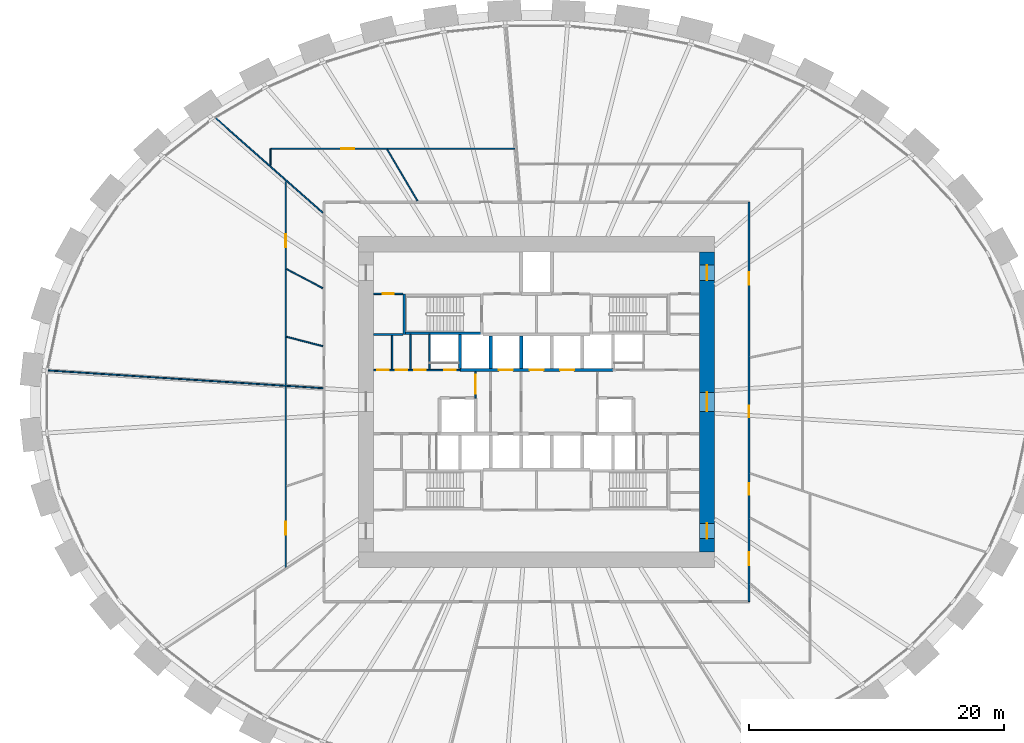
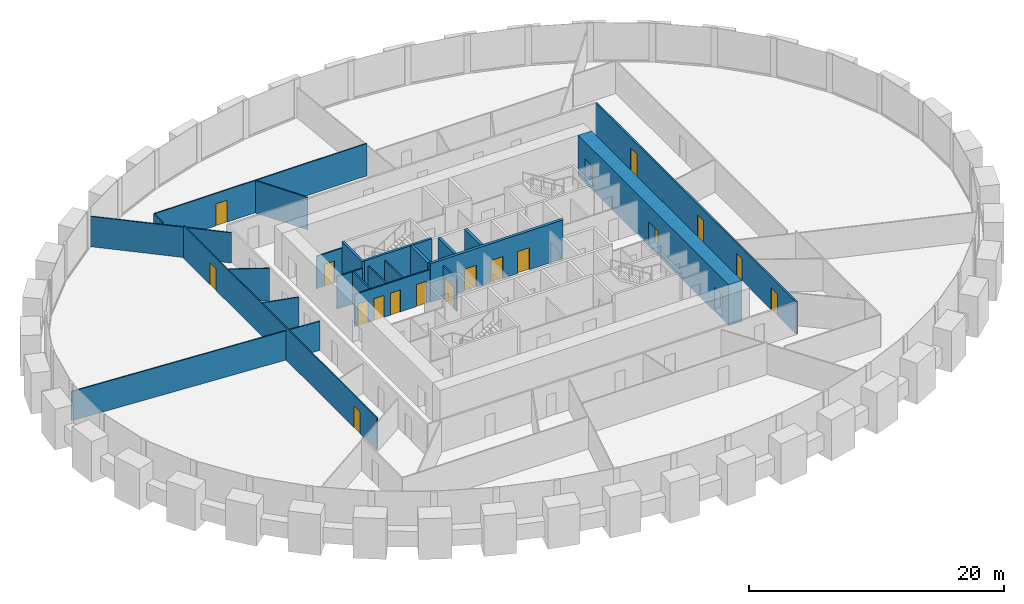
# One storey, part 8 of 11: 23 walls, 19 doors, 19 openings.
"""IFC4 building model written with IfcOpenShell, lengths in metres."""

from ifc_helpers import new_model, si_unit, direction, frame, frame_2d, origin, place, context, subcontext, project, spatial, rectangle, extrude, source, transform, mapped, material, layer, layer_set, type_object, element, fill, save


model = new_model("IFC4")

# Units and contexts
model_context = context("Model", 3, precision=1e-05, world=origin(), true_north=direction((0.0, 1.0)))
body_context = subcontext(model_context, "Body", "Model", "MODEL_VIEW")
ifc_project = project(units=[si_unit("LENGTHUNIT", "METRE"), si_unit("AREAUNIT", "SQUARE_METRE"), si_unit("VOLUMEUNIT", "CUBIC_METRE"), si_unit("PLANEANGLEUNIT", "RADIAN"), si_unit("MASSUNIT", "GRAM", prefix="KILO")], contexts=[model_context])

# Site, building, storey
site_placement = place(None, origin())
site = spatial("IfcSite", under=ifc_project, at=site_placement, CompositionType="ELEMENT")
building_placement = place(site_placement, origin())
building = spatial("IfcBuilding", under=site, at=building_placement, Name="Embergate Tower", CompositionType="ELEMENT")
storey_placement = place(building_placement, frame((0.0, 0.0, 41.89990234375)))
storey = spatial("IfcBuildingStorey", under=building, at=storey_placement, Name="L06", CompositionType="ELEMENT", Elevation=41.89990234375)

# Wall, openings, doors
ifc_material_1 = material(Name="Concrete C80", Category="concrete")
ifc_layer_1 = layer(ifc_material_1, 1.199951171875)
ifc_layer_set_1 = layer_set([ifc_layer_1], Name="Concrete C80")
wall_type_1 = type_object("IfcWallType", Name="Core outer wall C80 1200", PredefinedType="SHEAR", material=ifc_layer_set_1)
shared_shape_1 = source(origin(), body_context, "Body", "SweptSolid", [
    extrude(rectangle(XDim=23.60009765625, YDim=1.199951171875, at=frame_2d((11.800048828125, 0.0))), origin(), (0.0, 0.0, 1.0), 3.900146484375),
])
wall_1_placement = place(storey_placement, frame((13.39990234375, -11.800048828125, -0.199951171875), z_axis=(0.0, 0.0, 1.0), x_axis=(0.0, 1.0, 0.0)))
wall_1 = element("IfcWall", 1, at=wall_1_placement, inside=storey, type_object=wall_type_1, Name="CW-L06-E", PredefinedType="SHEAR", context=body_context, shape_type="MappedRepresentation", body=[
    mapped(shared_shape_1, transform((0.0, 0.0, 0.0))),
])
shared_shape_2 = source(origin(), body_context, "Body", "SweptSolid", [
    extrude(rectangle(XDim=1.199951171875, YDim=2.10009765625, at=frame_2d((0.60009765625, 1.050048828125))), frame((0.0, 0.60986328125, 0.0), z_axis=(0.0, -1.0, 0.0), x_axis=(1.0, 0.0, 0.0)), (0.0, 0.0, 1.0), 1.219970703125),
])
opening_1_placement = place(wall_1_placement, frame((21.35009765625, 0.0, 0.199951171875)))
opening_1 = element("IfcOpeningElement", 2, at=opening_1_placement, cuts=wall_1, Name="Opening IF-1", PredefinedType="OPENING", context=body_context, shape_type="MappedRepresentation", body=[
    mapped(shared_shape_2, transform((0.0, 0.0, 0.0))),
])
opening_2_placement = place(wall_1_placement, frame((1.050048828125, 0.0, 0.199951171875)))
opening_2 = element("IfcOpeningElement", 3, at=opening_2_placement, cuts=wall_1, Name="Opening IF-1", PredefinedType="OPENING", context=body_context, shape_type="MappedRepresentation", body=[
    mapped(shared_shape_2, transform((0.0, 0.0, 0.0))),
])
shared_shape_3 = source(origin(), body_context, "Body", "SweptSolid", [
    extrude(rectangle(XDim=1.5, YDim=2.10009765625, at=frame_2d((0.75, 1.050048828125))), frame((0.0, 0.60986328125, 0.0), z_axis=(0.0, -1.0, 0.0), x_axis=(1.0, 0.0, 0.0)), (0.0, 0.0, 1.0), 1.219970703125),
])
opening_3_placement = place(wall_1_placement, frame((11.050048828125, 0.0, 0.199951171875)))
opening_3 = element("IfcOpeningElement", 4, at=opening_3_placement, cuts=wall_1, Name="Opening IF-3", PredefinedType="OPENING", context=body_context, shape_type="MappedRepresentation", body=[
    mapped(shared_shape_3, transform((0.0, 0.0, 0.0))),
])
ifc_material_2 = material(Name="Escape fire door 1200")
door_type_1 = type_object("IfcDoorType", Name="Escape fire door 1200", OperationType="SINGLE_SWING_LEFT", PredefinedType="DOOR", material=ifc_material_2)
shared_shape_4 = source(origin(), body_context, "Body", "SweptSolid", [
    extrude(rectangle(XDim=1.199951171875, YDim=2.10009765625, at=frame_2d((0.60009765625, 1.050048828125))), frame((0.0, 0.02490234375, 0.0), z_axis=(0.0, -1.0, 0.0), x_axis=(1.0, 0.0, 0.0)), (0.0, 0.0, 1.0), 0.050048828125),
])
door_1_placement = place(opening_1_placement, origin())
door_1 = element("IfcDoor", 5, at=door_1_placement, inside=storey, type_object=door_type_1, Name="IF-1 door", OperationType="SINGLE_SWING_LEFT", OverallHeight=2.10009765625, OverallWidth=1.199951171875, PredefinedType="DOOR", context=body_context, shape_type="MappedRepresentation", body=[
    mapped(shared_shape_4, transform((0.0, 0.0, 0.0))),
])
fill(opening_1, door_1)
door_2_placement = place(opening_2_placement, origin())
door_2 = element("IfcDoor", 6, at=door_2_placement, inside=storey, type_object=door_type_1, Name="IF-1 door", OperationType="SINGLE_SWING_RIGHT", OverallHeight=2.10009765625, OverallWidth=1.199951171875, PredefinedType="DOOR", context=body_context, shape_type="MappedRepresentation", body=[
    mapped(shared_shape_4, transform((0.0, 0.0, 0.0))),
])
fill(opening_2, door_2)
ifc_material_3 = material(Name="Lobby fire door pair 1500")
door_type_2 = type_object("IfcDoorType", Name="Lobby fire door pair 1500", OperationType="DOUBLE_DOOR_SINGLE_SWING", PredefinedType="DOOR", material=ifc_material_3)
shared_shape_5 = source(origin(), body_context, "Body", "SweptSolid", [
    extrude(rectangle(XDim=1.5, YDim=2.10009765625, at=frame_2d((0.75, 1.050048828125))), frame((0.0, 0.02490234375, 0.0), z_axis=(0.0, -1.0, 0.0), x_axis=(1.0, 0.0, 0.0)), (0.0, 0.0, 1.0), 0.050048828125),
])
door_3_placement = place(opening_3_placement, origin())
door_3 = element("IfcDoor", 7, at=door_3_placement, inside=storey, type_object=door_type_2, Name="IF-3 door", OperationType="DOUBLE_DOOR_SINGLE_SWING", OverallHeight=2.10009765625, OverallWidth=1.5, PredefinedType="DOOR", context=body_context, shape_type="MappedRepresentation", body=[
    mapped(shared_shape_5, transform((0.0, 0.0, 0.0))),
])
fill(opening_3, door_3)

# Wall
ifc_material_4 = material(Name="Partition dry-lined 100")
ifc_layer_2 = layer(ifc_material_4, 0.10009765625)
ifc_layer_set_2 = layer_set([ifc_layer_2], Name="Partition dry-lined 100")
wall_type_2 = type_object("IfcWallType", Name="Partition dry-lined 100", PredefinedType="PARTITIONING", material=ifc_layer_set_2)
shared_shape_6 = source(origin(), body_context, "Body", "SweptSolid", [
    extrude(rectangle(XDim=4.676513671875, YDim=0.10009765625, at=frame_2d((2.33837890625, 0.0))), origin(), (0.0, 0.0, 1.0), 3.10009765625),
])
wall_2_placement = place(storey_placement, frame((-9.347900390625, 15.800048828125, 0.0), z_axis=(0.0, 0.0, 1.0), x_axis=(-0.509165443029, 0.860668665414, 0.0)))
element("IfcWall", 8, at=wall_2_placement, inside=storey, type_object=wall_type_2, Name="IP-1 wall", PredefinedType="PARTITIONING", context=body_context, shape_type="MappedRepresentation", body=[
    mapped(shared_shape_6, transform((0.0, 0.0, 0.0))),
])

# Wall, opening, door
shared_shape_7 = source(origin(), body_context, "Body", "SweptSolid", [
    extrude(rectangle(XDim=19.223876953125, YDim=0.10009765625, at=frame_2d((9.61181640625, 0.0))), origin(), (0.0, 0.0, 1.0), 3.10009765625),
])
wall_3_placement = place(storey_placement, frame((-1.676025390625, 19.89990234375, 0.0), z_axis=(0.0, 0.0, 1.0), x_axis=(-1.0, 0.0, 0.0)))
wall_3 = element("IfcWall", 9, at=wall_3_placement, inside=storey, type_object=wall_type_2, Name="IP-1 wall", PredefinedType="PARTITIONING", context=body_context, shape_type="MappedRepresentation", body=[
    mapped(shared_shape_7, transform((0.0, 0.0, 0.0))),
])
shared_shape_8 = source(origin(), body_context, "Body", "SweptSolid", [
    extrude(rectangle(XDim=1.0, YDim=2.10009765625, at=frame_2d((0.5, 1.050048828125))), frame((0.0, 0.06005859375, 0.0), z_axis=(0.0, -1.0, 0.0), x_axis=(1.0, 0.0, 0.0)), (0.0, 0.0, 1.0), 0.1201171875),
])
opening_4_placement = place(wall_3_placement, frame((12.655029296875, 0.0, 0.0)))
opening_4 = element("IfcOpeningElement", 10, at=opening_4_placement, cuts=wall_3, Name="Opening ID-2", PredefinedType="OPENING", context=body_context, shape_type="MappedRepresentation", body=[
    mapped(shared_shape_8, transform((0.0, 0.0, 0.0))),
])
ifc_material_5 = material(Name="Interior door 1000")
door_type_3 = type_object("IfcDoorType", Name="Interior door 1000", OperationType="SINGLE_SWING_LEFT", PredefinedType="DOOR", material=ifc_material_5)
shared_shape_9 = source(origin(), body_context, "Body", "SweptSolid", [
    extrude(rectangle(XDim=1.0, YDim=2.10009765625, at=frame_2d((0.5, 1.050048828125))), frame((0.0, 0.02490234375, 0.0), z_axis=(0.0, -1.0, 0.0), x_axis=(1.0, 0.0, 0.0)), (0.0, 0.0, 1.0), 0.050048828125),
])
door_4_placement = place(opening_4_placement, origin())
door_4 = element("IfcDoor", 11, at=door_4_placement, inside=storey, type_object=door_type_3, Name="ID-2 door", OperationType="SINGLE_SWING_RIGHT", OverallHeight=2.10009765625, OverallWidth=1.0, PredefinedType="DOOR", context=body_context, shape_type="MappedRepresentation", body=[
    mapped(shared_shape_9, transform((0.0, 0.0, 0.0))),
])
fill(opening_4, door_4)

# Walls
shared_shape_10 = source(origin(), body_context, "Body", "SweptSolid", [
    extrude(rectangle(XDim=1.2958984375, YDim=0.10009765625, at=frame_2d((0.64794921875, 0.0))), origin(), (0.0, 0.0, 1.0), 3.10009765625),
])
wall_4_placement = place(storey_placement, frame((-20.89990234375, 18.60400390625, 0.0), z_axis=(0.0, 0.0, 1.0), x_axis=(0.0, 1.0, 0.0)))
element("IfcWall", 12, at=wall_4_placement, inside=storey, type_object=wall_type_2, Name="IP-1 wall", PredefinedType="PARTITIONING", context=body_context, shape_type="MappedRepresentation", body=[
    mapped(shared_shape_10, transform((0.0, 0.0, 0.0))),
])
shared_shape_11 = source(origin(), body_context, "Body", "SweptSolid", [
    extrude(rectangle(XDim=21.722900390625, YDim=0.10009765625, at=frame_2d((10.861328125, 0.0))), origin(), (0.0, 0.0, 1.0), 2.800048828125),
])
wall_5_placement = place(storey_placement, frame((-38.452880859375, 2.47705078125, 0.0), z_axis=(0.0, 0.0, 1.0), x_axis=(0.997930058008, -0.064308625589, 0.0)))
element("IfcWall", 13, at=wall_5_placement, inside=storey, type_object=wall_type_2, Name="IP-1 wall", PredefinedType="PARTITIONING", context=body_context, shape_type="MappedRepresentation", body=[
    mapped(shared_shape_11, transform((0.0, 0.0, 0.0))),
])

# Wall, openings, doors
ifc_material_6 = material(Name="Core partition blockwork 120")
ifc_layer_3 = layer(ifc_material_6, 0.1201171875)
ifc_layer_set_3 = layer_set([ifc_layer_3], Name="Core partition blockwork 120")
wall_type_3 = type_object("IfcWallType", Name="Core partition blockwork 120", PredefinedType="PARTITIONING", material=ifc_layer_set_3)
shared_shape_12 = source(origin(), body_context, "Body", "SweptSolid", [
    extrude(rectangle(XDim=6.800048828125, YDim=0.1201171875, at=frame_2d((3.39990234375, 0.0))), origin(), (0.0, 0.0, 1.0), 3.10009765625),
])
wall_6_placement = place(storey_placement, frame((-12.800048828125, 2.5, 0.0), z_axis=(0.0, 0.0, 1.0), x_axis=(1.0, 0.0, 0.0)))
wall_6 = element("IfcWall", 14, at=wall_6_placement, inside=storey, type_object=wall_type_3, Name="IP-3 wall", PredefinedType="PARTITIONING", context=body_context, shape_type="MappedRepresentation", body=[
    mapped(shared_shape_12, transform((0.0, 0.0, 0.0))),
])
shared_shape_13 = source(origin(), body_context, "Body", "SweptSolid", [
    extrude(rectangle(XDim=0.89990234375, YDim=2.10009765625, at=frame_2d((0.449951171875, 1.050048828125))), frame((0.0, 0.070068359375, 0.0), z_axis=(0.0, -1.0, 0.0), x_axis=(1.0, 0.0, 0.0)), (0.0, 0.0, 1.0), 0.14013671875),
])
opening_5_placement = place(wall_6_placement, frame((5.550048828125, 0.0, 0.0)))
opening_5 = element("IfcOpeningElement", 15, at=opening_5_placement, cuts=wall_6, Name="Opening ID-1", PredefinedType="OPENING", context=body_context, shape_type="MappedRepresentation", body=[
    mapped(shared_shape_13, transform((0.0, 0.0, 0.0))),
])
opening_6_placement = place(wall_6_placement, frame((0.27587890625, 0.0, 0.0)))
opening_6 = element("IfcOpeningElement", 16, at=opening_6_placement, cuts=wall_6, Name="Opening ID-1", PredefinedType="OPENING", context=body_context, shape_type="MappedRepresentation", body=[
    mapped(shared_shape_13, transform((0.0, 0.0, 0.0))),
])
opening_7_placement = place(wall_6_placement, frame((1.72802734375, 0.0, 0.0)))
opening_7 = element("IfcOpeningElement", 17, at=opening_7_placement, cuts=wall_6, Name="Opening ID-1", PredefinedType="OPENING", context=body_context, shape_type="MappedRepresentation", body=[
    mapped(shared_shape_13, transform((0.0, 0.0, 0.0))),
])
opening_8_placement = place(wall_6_placement, frame((3.201904296875, 0.0, 0.0)))
opening_8 = element("IfcOpeningElement", 18, at=opening_8_placement, cuts=wall_6, Name="Opening ID-1", PredefinedType="OPENING", context=body_context, shape_type="MappedRepresentation", body=[
    mapped(shared_shape_13, transform((0.0, 0.0, 0.0))),
])
ifc_material_7 = material(Name="Interior door 900")
door_type_4 = type_object("IfcDoorType", Name="Interior door 900", OperationType="SINGLE_SWING_LEFT", PredefinedType="DOOR", material=ifc_material_7)
shared_shape_14 = source(origin(), body_context, "Body", "SweptSolid", [
    extrude(rectangle(XDim=0.89990234375, YDim=2.10009765625, at=frame_2d((0.449951171875, 1.050048828125))), frame((0.0, 0.02490234375, 0.0), z_axis=(0.0, -1.0, 0.0), x_axis=(1.0, 0.0, 0.0)), (0.0, 0.0, 1.0), 0.050048828125),
])
door_5_placement = place(opening_5_placement, origin())
door_5 = element("IfcDoor", 19, at=door_5_placement, inside=storey, type_object=door_type_4, Name="ID-1 door", OperationType="SINGLE_SWING_RIGHT", OverallHeight=2.10009765625, OverallWidth=0.89990234375, PredefinedType="DOOR", context=body_context, shape_type="MappedRepresentation", body=[
    mapped(shared_shape_14, transform((0.0, 0.0, 0.0))),
])
fill(opening_5, door_5)
door_6_placement = place(opening_6_placement, origin())
door_6 = element("IfcDoor", 20, at=door_6_placement, inside=storey, type_object=door_type_4, Name="ID-1 door", OperationType="SINGLE_SWING_LEFT", OverallHeight=2.10009765625, OverallWidth=0.89990234375, PredefinedType="DOOR", context=body_context, shape_type="MappedRepresentation", body=[
    mapped(shared_shape_14, transform((0.0, 0.0, 0.0))),
])
fill(opening_6, door_6)
door_7_placement = place(opening_7_placement, origin())
door_7 = element("IfcDoor", 21, at=door_7_placement, inside=storey, type_object=door_type_4, Name="ID-1 door", OperationType="SINGLE_SWING_LEFT", OverallHeight=2.10009765625, OverallWidth=0.89990234375, PredefinedType="DOOR", context=body_context, shape_type="MappedRepresentation", body=[
    mapped(shared_shape_14, transform((0.0, 0.0, 0.0))),
])
fill(opening_7, door_7)
door_8_placement = place(opening_8_placement, origin())
door_8 = element("IfcDoor", 22, at=door_8_placement, inside=storey, type_object=door_type_4, Name="ID-1 door", OperationType="SINGLE_SWING_LEFT", OverallHeight=2.10009765625, OverallWidth=0.89990234375, PredefinedType="DOOR", context=body_context, shape_type="MappedRepresentation", body=[
    mapped(shared_shape_14, transform((0.0, 0.0, 0.0))),
])
fill(opening_8, door_8)

# Walls
shared_shape_15 = source(origin(), body_context, "Body", "SweptSolid", [
    extrude(rectangle(XDim=2.739990234375, YDim=0.1201171875, at=frame_2d((1.3701171875, 0.0))), origin(), (0.0, 0.0, 1.0), 3.10009765625),
])
for number, where, z_axis, x_axis, name in (
    (23, (-8.39990234375, 5.300048828125, 0.0), (0.0, 0.0, 1.0), (0.0, -1.0, 0.0), "IP-3 wall"),
    (24, (-9.89599609375, 2.56005859375, 0.0), (0.0, 0.0, 1.0), (0.0, 1.0, 0.0), "IP-3 wall"),
):
    element("IfcWall", number, at=place(storey_placement, frame(where, z_axis=z_axis, x_axis=x_axis)), inside=storey, type_object=wall_type_3, Name=name, PredefinedType="PARTITIONING", context=body_context, shape_type="MappedRepresentation", body=[
        mapped(shared_shape_15, transform((0.0, 0.0, 0.0))),
    ])

# Wall, opening, door
shared_shape_16 = source(origin(), body_context, "Body", "SweptSolid", [
    extrude(rectangle(XDim=2.074951171875, YDim=0.1201171875, at=frame_2d((1.03759765625, 0.0))), origin(), (0.0, 0.0, 1.0), 3.10009765625),
])
wall_7_placement = place(storey_placement, frame((-4.800048828125, 2.375, 0.0), z_axis=(0.0, 0.0, 1.0), x_axis=(0.0, -1.0, 0.0)))
wall_7 = element("IfcWall", 25, at=wall_7_placement, inside=storey, type_object=wall_type_3, Name="IP-3 wall", PredefinedType="PARTITIONING", context=body_context, shape_type="MappedRepresentation", body=[
    mapped(shared_shape_16, transform((0.0, 0.0, 0.0))),
])
shared_shape_17 = source(origin(), body_context, "Body", "SweptSolid", [
    extrude(rectangle(XDim=1.5, YDim=2.10009765625, at=frame_2d((0.75, 1.050048828125))), frame((0.0, 0.070068359375, 0.0), z_axis=(0.0, -1.0, 0.0), x_axis=(1.0, 0.0, 0.0)), (0.0, 0.0, 1.0), 0.14013671875),
])
opening_9_placement = place(wall_7_placement, frame((0.22509765625, 0.0, 0.0)))
opening_9 = element("IfcOpeningElement", 26, at=opening_9_placement, cuts=wall_7, Name="Opening IF-3", PredefinedType="OPENING", context=body_context, shape_type="MappedRepresentation", body=[
    mapped(shared_shape_17, transform((0.0, 0.0, 0.0))),
])
door_9_placement = place(opening_9_placement, origin())
door_9 = element("IfcDoor", 27, at=door_9_placement, inside=storey, type_object=door_type_2, Name="IF-3 door", OperationType="DOUBLE_DOOR_SINGLE_SWING", OverallHeight=2.10009765625, OverallWidth=1.5, PredefinedType="DOOR", context=body_context, shape_type="MappedRepresentation", body=[
    mapped(shared_shape_5, transform((0.0, 0.0, 0.0))),
])
fill(opening_9, door_9)

shared_shape_18 = source(origin(), body_context, "Body", "SweptSolid", [
    extrude(rectangle(XDim=2.300048828125, YDim=0.1201171875, at=frame_2d((1.14990234375, 0.0))), origin(), (0.0, 0.0, 1.0), 3.10009765625),
])
wall_8_placement = place(storey_placement, frame((-12.800048828125, 8.5, 0.0), z_axis=(0.0, 0.0, 1.0), x_axis=(1.0, 0.0, 0.0)))
wall_8 = element("IfcWall", 28, at=wall_8_placement, inside=storey, type_object=wall_type_3, Name="IP-3 wall", PredefinedType="PARTITIONING", context=body_context, shape_type="MappedRepresentation", body=[
    mapped(shared_shape_18, transform((0.0, 0.0, 0.0))),
])
opening_10_placement = place(wall_8_placement, frame((0.699951171875, 0.0, 0.0)))
opening_10 = element("IfcOpeningElement", 29, at=opening_10_placement, cuts=wall_8, Name="Opening ID-1", PredefinedType="OPENING", context=body_context, shape_type="MappedRepresentation", body=[
    mapped(shared_shape_13, transform((0.0, 0.0, 0.0))),
])
door_10_placement = place(opening_10_placement, origin())
door_10 = element("IfcDoor", 30, at=door_10_placement, inside=storey, type_object=door_type_4, Name="ID-1 door", OperationType="SINGLE_SWING_LEFT", OverallHeight=2.10009765625, OverallWidth=0.89990234375, PredefinedType="DOOR", context=body_context, shape_type="MappedRepresentation", body=[
    mapped(shared_shape_14, transform((0.0, 0.0, 0.0))),
])
fill(opening_10, door_10)

# Walls
wall_9_placement = place(storey_placement, frame((-10.5, 5.300048828125, 0.0), z_axis=(0.0, 0.0, 1.0), x_axis=(-1.0, 0.0, 0.0)))
element("IfcWall", 31, at=wall_9_placement, inside=storey, type_object=wall_type_3, Name="IP-3 wall", PredefinedType="PARTITIONING", context=body_context, shape_type="MappedRepresentation", body=[
    mapped(shared_shape_18, transform((0.0, 0.0, 0.0))),
])
shared_shape_19 = source(origin(), body_context, "Body", "SweptSolid", [
    extrude(rectangle(XDim=2.679931640625, YDim=0.1201171875, at=frame_2d((1.33984375, 0.0))), origin(), (0.0, 0.0, 1.0), 3.10009765625),
])
wall_10_placement = place(storey_placement, frame((-11.347900390625, 2.56005859375, 0.0), z_axis=(0.0, 0.0, 1.0), x_axis=(0.0, 1.0, 0.0)))
element("IfcWall", 32, at=wall_10_placement, inside=storey, type_object=wall_type_3, Name="IP-3 wall", PredefinedType="PARTITIONING", context=body_context, shape_type="MappedRepresentation", body=[
    mapped(shared_shape_19, transform((0.0, 0.0, 0.0))),
])

# Wall, openings, doors
ifc_material_8 = material(Name="Corridor wall dry-lined 150")
ifc_layer_4 = layer(ifc_material_8, 0.14990234375)
ifc_layer_set_4 = layer_set([ifc_layer_4], Name="Corridor wall dry-lined 150")
wall_type_4 = type_object("IfcWallType", Name="Corridor wall dry-lined 150", PredefinedType="PARTITIONING", material=ifc_layer_set_4)
shared_shape_20 = source(origin(), body_context, "Body", "SweptSolid", [
    extrude(rectangle(XDim=31.39990234375, YDim=0.14990234375, at=frame_2d((15.699951171875, 0.0))), origin(), (0.0, 0.0, 1.0), 3.10009765625),
])
wall_11_placement = place(storey_placement, frame((16.699951171875, 15.699951171875, 0.0), z_axis=(0.0, 0.0, 1.0), x_axis=(0.0, -1.0, 0.0)))
wall_11 = element("IfcWall", 33, at=wall_11_placement, inside=storey, type_object=wall_type_4, Name="IP-2 wall", PredefinedType="PARTITIONING", context=body_context, shape_type="MappedRepresentation", body=[
    mapped(shared_shape_20, transform((0.0, 0.0, 0.0))),
])
shared_shape_21 = source(origin(), body_context, "Body", "SweptSolid", [
    extrude(rectangle(XDim=1.0, YDim=2.10009765625, at=frame_2d((0.5, 1.050048828125))), frame((0.0, 0.0849609375, 0.0), z_axis=(0.0, -1.0, 0.0), x_axis=(1.0, 0.0, 0.0)), (0.0, 0.0, 1.0), 0.169921875),
])
opening_11_placement = place(wall_11_placement, frame((27.52392578125, 0.0, 0.0)))
opening_11 = element("IfcOpeningElement", 34, at=opening_11_placement, cuts=wall_11, Name="Opening ID-2", PredefinedType="OPENING", context=body_context, shape_type="MappedRepresentation", body=[
    mapped(shared_shape_21, transform((0.0, 0.0, 0.0))),
])
shared_shape_22 = source(origin(), body_context, "Body", "SweptSolid", [
    extrude(rectangle(XDim=0.89990234375, YDim=2.10009765625, at=frame_2d((0.449951171875, 1.050048828125))), frame((0.0, 0.0849609375, 0.0), z_axis=(0.0, -1.0, 0.0), x_axis=(1.0, 0.0, 0.0)), (0.0, 0.0, 1.0), 0.169921875),
])
opening_12_placement = place(wall_11_placement, frame((22.093017578125, 0.0, 0.0)))
opening_12 = element("IfcOpeningElement", 35, at=opening_12_placement, cuts=wall_11, Name="Opening IF-1c", PredefinedType="OPENING", context=body_context, shape_type="MappedRepresentation", body=[
    mapped(shared_shape_22, transform((0.0, 0.0, 0.0))),
])
opening_13_placement = place(wall_11_placement, frame((16.0048828125, 0.0, 0.0)))
opening_13 = element("IfcOpeningElement", 36, at=opening_13_placement, cuts=wall_11, Name="Opening IF-1c", PredefinedType="OPENING", context=body_context, shape_type="MappedRepresentation", body=[
    mapped(shared_shape_22, transform((0.0, 0.0, 0.0))),
])
opening_14_placement = place(wall_11_placement, frame((5.510009765625, 0.0, 0.0)))
opening_14 = element("IfcOpeningElement", 37, at=opening_14_placement, cuts=wall_11, Name="Opening ID-2", PredefinedType="OPENING", context=body_context, shape_type="MappedRepresentation", body=[
    mapped(shared_shape_21, transform((0.0, 0.0, 0.0))),
])
ifc_material_9 = material(Name="Escape fire door 900")
door_type_5 = type_object("IfcDoorType", Name="Escape fire door 900", OperationType="SINGLE_SWING_LEFT", PredefinedType="DOOR", material=ifc_material_9)
door_11_placement = place(opening_12_placement, origin())
door_11 = element("IfcDoor", 38, at=door_11_placement, inside=storey, type_object=door_type_5, Name="IF-1 door", OperationType="SINGLE_SWING_RIGHT", OverallHeight=2.10009765625, OverallWidth=0.89990234375, PredefinedType="DOOR", context=body_context, shape_type="MappedRepresentation", body=[
    mapped(shared_shape_14, transform((0.0, 0.0, 0.0))),
])
fill(opening_12, door_11)
door_12_placement = place(opening_13_placement, origin())
door_12 = element("IfcDoor", 39, at=door_12_placement, inside=storey, type_object=door_type_5, Name="IF-1 door", OperationType="SINGLE_SWING_LEFT", OverallHeight=2.10009765625, OverallWidth=0.89990234375, PredefinedType="DOOR", context=body_context, shape_type="MappedRepresentation", body=[
    mapped(shared_shape_14, transform((0.0, 0.0, 0.0))),
])
fill(opening_13, door_12)
door_13_placement = place(opening_11_placement, origin())
door_13 = element("IfcDoor", 40, at=door_13_placement, inside=storey, type_object=door_type_3, Name="ID-2 door", OperationType="SINGLE_SWING_RIGHT", OverallHeight=2.10009765625, OverallWidth=1.0, PredefinedType="DOOR", context=body_context, shape_type="MappedRepresentation", body=[
    mapped(shared_shape_9, transform((0.0, 0.0, 0.0))),
])
fill(opening_11, door_13)
door_14_placement = place(opening_14_placement, origin())
door_14 = element("IfcDoor", 41, at=door_14_placement, inside=storey, type_object=door_type_3, Name="ID-2 door", OperationType="SINGLE_SWING_LEFT", OverallHeight=2.10009765625, OverallWidth=1.0, PredefinedType="DOOR", context=body_context, shape_type="MappedRepresentation", body=[
    mapped(shared_shape_9, transform((0.0, 0.0, 0.0))),
])
fill(opening_14, door_14)

# Walls
shared_shape_23 = source(origin(), body_context, "Body", "SweptSolid", [
    extrude(rectangle(XDim=11.294921875, YDim=0.10009765625, at=frame_2d((5.6474609375, 0.0))), origin(), (0.0, 0.0, 1.0), 2.900146484375),
])
wall_12_placement = place(storey_placement, frame((-25.26708984375, 22.35693359375, 0.0), z_axis=(0.0, 0.0, 1.0), x_axis=(0.748912392945, -0.662669018209, 0.0)))
element("IfcWall", 42, at=wall_12_placement, inside=storey, type_object=wall_type_2, Name="IP-1 wall", PredefinedType="PARTITIONING", context=body_context, shape_type="MappedRepresentation", body=[
    mapped(shared_shape_23, transform((0.0, 0.0, 0.0))),
])
shared_shape_24 = source(origin(), body_context, "Body", "SweptSolid", [
    extrude(rectangle(XDim=3.202880859375, YDim=0.10009765625, at=frame_2d((1.6015625, 0.0))), origin(), (0.0, 0.0, 1.0), 3.10009765625),
])
wall_13_placement = place(storey_placement, frame((-16.799072265625, 8.93603515625, 0.0), z_axis=(0.0, 0.0, 1.0), x_axis=(-0.882909369103, 0.469543444157, 0.0)))
element("IfcWall", 43, at=wall_13_placement, inside=storey, type_object=wall_type_2, Name="IP-1 wall", PredefinedType="PARTITIONING", context=body_context, shape_type="MappedRepresentation", body=[
    mapped(shared_shape_24, transform((0.0, 0.0, 0.0))),
])

# Wall, openings, doors
shared_shape_25 = source(origin(), body_context, "Body", "SweptSolid", [
    extrude(rectangle(XDim=30.328125, YDim=0.10009765625, at=frame_2d((15.1640625, 0.0))), origin(), (0.0, 0.0, 1.0), 3.10009765625),
])
wall_14_placement = place(storey_placement, frame((-19.699951171875, -13.008056640625, 0.0), z_axis=(0.0, 0.0, 1.0), x_axis=(0.0, 1.0, 0.0)))
wall_14 = element("IfcWall", 44, at=wall_14_placement, inside=storey, type_object=wall_type_2, Name="IP-1 wall", PredefinedType="PARTITIONING", context=body_context, shape_type="MappedRepresentation", body=[
    mapped(shared_shape_25, transform((0.0, 0.0, 0.0))),
])
opening_15_placement = place(wall_14_placement, frame((25.17919921875, 0.0, 0.0)))
opening_15 = element("IfcOpeningElement", 45, at=opening_15_placement, cuts=wall_14, Name="Opening ID-2", PredefinedType="OPENING", context=body_context, shape_type="MappedRepresentation", body=[
    mapped(shared_shape_8, transform((0.0, 0.0, 0.0))),
])
opening_16_placement = place(wall_14_placement, frame((2.590087890625, 0.0, 0.0)))
opening_16 = element("IfcOpeningElement", 46, at=opening_16_placement, cuts=wall_14, Name="Opening ID-2", PredefinedType="OPENING", context=body_context, shape_type="MappedRepresentation", body=[
    mapped(shared_shape_8, transform((0.0, 0.0, 0.0))),
])
door_15_placement = place(opening_15_placement, origin())
door_15 = element("IfcDoor", 47, at=door_15_placement, inside=storey, type_object=door_type_3, Name="ID-2 door", OperationType="SINGLE_SWING_LEFT", OverallHeight=2.10009765625, OverallWidth=1.0, PredefinedType="DOOR", context=body_context, shape_type="MappedRepresentation", body=[
    mapped(shared_shape_9, transform((0.0, 0.0, 0.0))),
])
fill(opening_15, door_15)
door_16_placement = place(opening_16_placement, origin())
door_16 = element("IfcDoor", 48, at=door_16_placement, inside=storey, type_object=door_type_3, Name="ID-2 door", OperationType="SINGLE_SWING_RIGHT", OverallHeight=2.10009765625, OverallWidth=1.0, PredefinedType="DOOR", context=body_context, shape_type="MappedRepresentation", body=[
    mapped(shared_shape_9, transform((0.0, 0.0, 0.0))),
])
fill(opening_16, door_16)

# Walls
shared_shape_26 = source(origin(), body_context, "Body", "SweptSolid", [
    extrude(rectangle(XDim=2.944091796875, YDim=0.10009765625, at=frame_2d((1.47216796875, 0.0))), origin(), (0.0, 0.0, 1.0), 3.10009765625),
])
wall_15_placement = place(storey_placement, frame((-16.7880859375, 4.376953125, 0.0), z_axis=(0.0, 0.0, 1.0), x_axis=(-0.967619033553, 0.252415145954, 0.0)))
element("IfcWall", 49, at=wall_15_placement, inside=storey, type_object=wall_type_2, Name="IP-1 wall", PredefinedType="PARTITIONING", context=body_context, shape_type="MappedRepresentation", body=[
    mapped(shared_shape_26, transform((0.0, 0.0, 0.0))),
])
ifc_material_10 = material(Name="Concrete C50", Category="concrete")
ifc_layer_5 = layer(ifc_material_10, 0.25)
ifc_layer_set_5 = layer_set([ifc_layer_5], Name="Concrete C50")
wall_type_5 = type_object("IfcWallType", Name="Hoistway wall reinforced concrete 250", PredefinedType="SHEAR", material=ifc_layer_set_5)
shared_shape_27 = source(origin(), body_context, "Body", "SweptSolid", [
    extrude(rectangle(XDim=2.675048828125, YDim=0.25, at=frame_2d((1.33740234375, 0.0))), origin(), (0.0, 0.0, 1.0), 3.7001953125),
])
wall_16_placement = place(storey_placement, frame((-6.0, 2.625, 0.0), z_axis=(0.0, 0.0, 1.0), x_axis=(0.0, 1.0, 0.0)))
element("IfcWall", 50, at=wall_16_placement, inside=storey, type_object=wall_type_5, Name="HW-1 wall", PredefinedType="SHEAR", context=body_context, shape_type="MappedRepresentation", body=[
    mapped(shared_shape_27, transform((0.0, 0.0, 0.0))),
])
ifc_layer_6 = layer(ifc_material_10, 0.199951171875)
ifc_layer_set_6 = layer_set([ifc_layer_6], Name="Concrete C50")
wall_type_6 = type_object("IfcWallType", Name="Stair enclosure wall reinforced concrete 250", PredefinedType="SHEAR", material=ifc_layer_set_6)
shared_shape_28 = source(origin(), body_context, "Body", "SweptSolid", [
    extrude(rectangle(XDim=6.300048828125, YDim=0.199951171875, at=frame_2d((3.14990234375, 0.0))), origin(), (0.0, 0.0, 1.0), 3.7001953125),
])
wall_17_placement = place(storey_placement, frame((-4.199951171875, 5.39990234375, 0.0), z_axis=(0.0, 0.0, 1.0), x_axis=(-1.0, 0.0, 0.0)))
element("IfcWall", 51, at=wall_17_placement, inside=storey, type_object=wall_type_6, Name="SE-1 wall", PredefinedType="SHEAR", context=body_context, shape_type="MappedRepresentation", body=[
    mapped(shared_shape_28, transform((0.0, 0.0, 0.0))),
])
shared_shape_29 = source(origin(), body_context, "Body", "SweptSolid", [
    extrude(rectangle(XDim=2.550048828125, YDim=0.25, at=frame_2d((1.27490234375, 0.0))), origin(), (0.0, 0.0, 1.0), 3.7001953125),
])
for number, where, z_axis, x_axis, name in (
    (52, (-3.60009765625, 2.625, 0.0), (0.0, 0.0, 1.0), (0.0, 1.0, 0.0), "HW-1 wall"),
    (53, (-1.199951171875, 2.625, 0.0), (0.0, 0.0, 1.0), (0.0, 1.0, 0.0), "HW-1 wall"),
):
    element("IfcWall", number, at=place(storey_placement, frame(where, z_axis=z_axis, x_axis=x_axis)), inside=storey, type_object=wall_type_5, Name=name, PredefinedType="SHEAR", context=body_context, shape_type="MappedRepresentation", body=[
        mapped(shared_shape_29, transform((0.0, 0.0, 0.0))),
    ])

# Wall, openings, doors
shared_shape_30 = source(origin(), body_context, "Body", "SweptSolid", [
    extrude(rectangle(XDim=12.0, YDim=0.25, at=frame_2d((6.0, 0.0))), origin(), (0.0, 0.0, 1.0), 3.7001953125),
])
wall_18_placement = place(storey_placement, frame((-6.0, 2.5, 0.0), z_axis=(0.0, 0.0, 1.0), x_axis=(1.0, 0.0, 0.0)))
wall_18 = element("IfcWall", 54, at=wall_18_placement, inside=storey, type_object=wall_type_5, Name="HW-1 wall", PredefinedType="SHEAR", context=body_context, shape_type="MappedRepresentation", body=[
    mapped(shared_shape_30, transform((0.0, 0.0, 0.0))),
])
shared_shape_31 = source(origin(), body_context, "Body", "SweptSolid", [
    extrude(rectangle(XDim=1.10009765625, YDim=2.10009765625, at=frame_2d((0.550048828125, 1.050048828125))), frame((0.0, 0.135009765625, 0.0), z_axis=(0.0, -1.0, 0.0), x_axis=(1.0, 0.0, 0.0)), (0.0, 0.0, 1.0), 0.27001953125),
])
opening_17_placement = place(wall_18_placement, frame((3.050048828125, 0.0, 0.0)))
opening_17 = element("IfcOpeningElement", 55, at=opening_17_placement, cuts=wall_18, Name="Opening LD", PredefinedType="OPENING", context=body_context, shape_type="MappedRepresentation", body=[
    mapped(shared_shape_31, transform((0.0, 0.0, 0.0))),
])
opening_18_placement = place(wall_18_placement, frame((5.449951171875, 0.0, 0.0)))
opening_18 = element("IfcOpeningElement", 56, at=opening_18_placement, cuts=wall_18, Name="Opening LD", PredefinedType="OPENING", context=body_context, shape_type="MappedRepresentation", body=[
    mapped(shared_shape_31, transform((0.0, 0.0, 0.0))),
])
opening_19_placement = place(wall_18_placement, frame((7.85009765625, 0.0, 0.0)))
opening_19 = element("IfcOpeningElement", 57, at=opening_19_placement, cuts=wall_18, Name="Opening LD", PredefinedType="OPENING", context=body_context, shape_type="MappedRepresentation", body=[
    mapped(shared_shape_31, transform((0.0, 0.0, 0.0))),
])
ifc_material_11 = material(Name="Landing door sliding 1100")
door_type_6 = type_object("IfcDoorType", Name="Landing door sliding 1100", OperationType="SLIDING_TO_LEFT", PredefinedType="DOOR", material=ifc_material_11)
shared_shape_32 = source(origin(), body_context, "Body", "SweptSolid", [
    extrude(rectangle(XDim=1.10009765625, YDim=2.10009765625, at=frame_2d((0.550048828125, 1.050048828125))), frame((0.0, 0.02490234375, 0.0), z_axis=(0.0, -1.0, 0.0), x_axis=(1.0, 0.0, 0.0)), (0.0, 0.0, 1.0), 0.050048828125),
])
door_17_placement = place(opening_17_placement, origin())
door_17 = element("IfcDoor", 58, at=door_17_placement, inside=storey, type_object=door_type_6, Name="LD door", OperationType="SLIDING_TO_RIGHT", OverallHeight=2.10009765625, OverallWidth=1.10009765625, PredefinedType="DOOR", context=body_context, shape_type="MappedRepresentation", body=[
    mapped(shared_shape_32, transform((0.0, 0.0, 0.0))),
])
fill(opening_17, door_17)
door_18_placement = place(opening_18_placement, origin())
door_18 = element("IfcDoor", 59, at=door_18_placement, inside=storey, type_object=door_type_6, Name="LD door", OperationType="SLIDING_TO_RIGHT", OverallHeight=2.10009765625, OverallWidth=1.10009765625, PredefinedType="DOOR", context=body_context, shape_type="MappedRepresentation", body=[
    mapped(shared_shape_32, transform((0.0, 0.0, 0.0))),
])
fill(opening_18, door_18)
door_19_placement = place(opening_19_placement, origin())
door_19 = element("IfcDoor", 60, at=door_19_placement, inside=storey, type_object=door_type_6, Name="LD door", OperationType="SLIDING_TO_LEFT", OverallHeight=2.10009765625, OverallWidth=1.10009765625, PredefinedType="DOOR", context=body_context, shape_type="MappedRepresentation", body=[
    mapped(shared_shape_32, transform((0.0, 0.0, 0.0))),
])
fill(opening_19, door_19)

# Wall
shared_shape_33 = source(origin(), body_context, "Body", "SweptSolid", [
    extrude(rectangle(XDim=3.199951171875, YDim=0.199951171875, at=frame_2d((1.60009765625, 0.0))), origin(), (0.0, 0.0, 1.0), 3.7001953125),
])
wall_19_placement = place(storey_placement, frame((-10.39990234375, 8.5, 0.0), z_axis=(0.0, 0.0, 1.0), x_axis=(0.0, -1.0, 0.0)))
element("IfcWall", 61, at=wall_19_placement, inside=storey, type_object=wall_type_6, Name="SE-1 wall", PredefinedType="SHEAR", context=body_context, shape_type="MappedRepresentation", body=[
    mapped(shared_shape_33, transform((0.0, 0.0, 0.0))),
])

save(model, "model.ifc")
